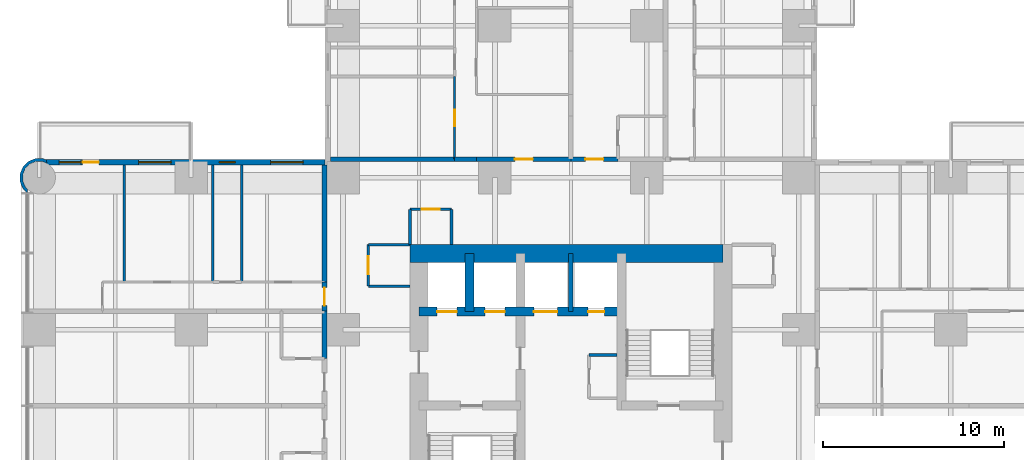
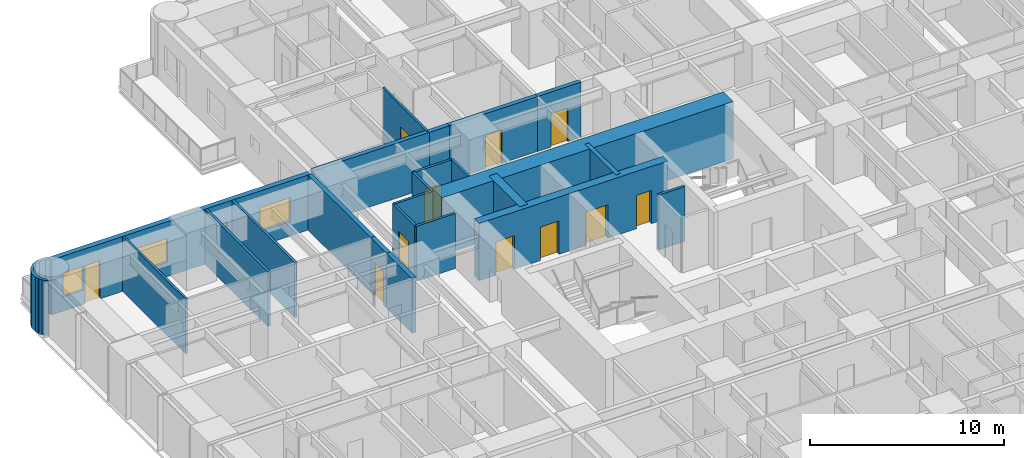
# One storey, part 12 of 17: 24 walls, 11 doors, 4 windows, 15 openings.
"""IFC4 building model written with IfcOpenShell, lengths in metres."""

import ifcopenshell
import ifcopenshell.guid

model = None  # the IFC model being written
_history = None  # IfcOwnerHistory: only IFC2X3 demands one
_inside = {}  # id of a spatial element -> (the spatial element, [elements in it])
_under = {}  # id of a project, library or spatial element -> (it, [spatial elements below it])
_declared = {}  # id of a project -> (the project, [libraries it declares])
_typed = {}  # id of a type object -> (the type object, [elements of that type])
_made_of = {}  # id of a material, layer set ... -> (it, [elements and type objects made of it])


def new_model(schema):
    """Start an empty IFC model of exactly this schema.

    Asked for "IFC4X3", IfcOpenShell would pick the latest addendum, in which some entities
    have other attributes; the version numbers below select the first issue.
    IFC2X3 requires an IfcOwnerHistory on every rooted entity: one is made here for all.
    """
    global model, _history
    if schema == "IFC4X3":
        model = ifcopenshell.file(schema_version=(4, 3, 0, 0))
    else:
        model = ifcopenshell.file(schema=schema)
    _inside.clear()
    _under.clear()
    _declared.clear()
    _typed.clear()
    _made_of.clear()
    _history = None
    if model.schema == "IFC2X3":
        org = make("IfcOrganization", Name="unknown")
        user = make(
            "IfcPersonAndOrganization",
            ThePerson=make("IfcPerson", FamilyName="unknown"),
            TheOrganization=org,
        )
        app = make(
            "IfcApplication",
            ApplicationDeveloper=org,
            Version="unknown",
            ApplicationFullName="unknown",
            ApplicationIdentifier="unknown",
        )
        _history = make(
            "IfcOwnerHistory",
            OwningUser=user,
            OwningApplication=app,
            ChangeAction="ADDED",
            CreationDate=0,
        )
    return model


def make(cls, **values):
    """One entity of the class cls with the attributes given. An attribute that is None is left unset."""
    return model.create_entity(
        cls, **{name: value for name, value in values.items() if value is not None}
    )


def rooted(cls, **values):
    """An entity with a GlobalId (a new one), such as an element, a storey or a relation."""
    return make(cls, GlobalId=ifcopenshell.guid.new(), OwnerHistory=_history, **values)


def si_unit(unit_type, name, prefix=None):
    """IfcSIUnit, for example si_unit("LENGTHUNIT", "METRE", prefix="MILLI")."""
    return make("IfcSIUnit", UnitType=unit_type, Prefix=prefix, Name=name)


def assignment(units):
    """IfcUnitAssignment: the units of a project."""
    return None if units is None else make("IfcUnitAssignment", Units=units)


def point(xyz):
    """IfcCartesianPoint."""
    return None if xyz is None else make("IfcCartesianPoint", Coordinates=xyz)


def direction(xyz):
    """IfcDirection."""
    return None if xyz is None else make("IfcDirection", DirectionRatios=xyz)


def frame(location, z_axis=None, x_axis=None):
    """IfcAxis2Placement3D, a coordinate frame: its origin and axes. An axis left out is left unset."""
    return make(
        "IfcAxis2Placement3D",
        Location=point(location),
        Axis=direction(z_axis),
        RefDirection=direction(x_axis),
    )


def frame_2d(location, x_axis=None):
    """IfcAxis2Placement2D, a coordinate frame in the plane: its origin and x axis."""
    return make(
        "IfcAxis2Placement2D", Location=point(location), RefDirection=direction(x_axis)
    )


def origin():
    """The frame at (0, 0, 0) with its axes left unset."""
    return frame((0.0, 0.0, 0.0))


def place(relative_to, where):
    """IfcLocalPlacement: puts the frame where relative to a parent placement (None: the world)."""
    return make(
        "IfcLocalPlacement", PlacementRelTo=relative_to, RelativePlacement=where
    )


def context(
    kind, dimensions, precision=None, world=None, true_north=None, identifier=None
):
    """IfcGeometricRepresentationContext, for example the 3D "Model" context."""
    return make(
        "IfcGeometricRepresentationContext",
        ContextIdentifier=identifier,
        ContextType=kind,
        CoordinateSpaceDimension=dimensions,
        Precision=precision,
        WorldCoordinateSystem=world,
        TrueNorth=true_north,
    )


def subcontext(parent, identifier, kind, view, scale=None):
    """IfcGeometricRepresentationSubContext, for example "Body" below "Model"."""
    return make(
        "IfcGeometricRepresentationSubContext",
        ContextIdentifier=identifier,
        ContextType=kind,
        ParentContext=parent,
        TargetScale=scale,
        TargetView=view,
    )


def project(units=None, contexts=None):
    """IfcProject with its units and contexts."""
    return rooted(
        "IfcProject",
        Name="project",
        RepresentationContexts=contexts,
        UnitsInContext=assignment(units),
    )


def spatial(cls, under=None, at=None, **own):
    """A site, building, storey or space (cls), placed at a placement, below another one or the project."""
    s = rooted(cls, ObjectPlacement=at, **own)
    if under is not None:
        _under.setdefault(under.id(), (under, []))[1].append(s)
    return s


def polyline(points):
    """IfcPolyline through the points."""
    return make("IfcPolyline", Points=[point(p) for p in points])


def profile(cls, at=None, kind="AREA", **sizes):
    """A parametric profile (cls). Its sizes go by their IFC names, for example OverallWidth=200.0."""
    return make(cls, ProfileType=kind, Position=at, **sizes)


def rectangle(**sizes):
    """IfcRectangleProfileDef."""
    return profile("IfcRectangleProfileDef", **sizes)


def outline(outer, holes=None, kind="AREA"):
    """IfcArbitraryClosedProfileDef: a profile drawn as a closed curve; with holes, ...WithVoids."""
    if holes is None:
        return make("IfcArbitraryClosedProfileDef", ProfileType=kind, OuterCurve=outer)
    return make(
        "IfcArbitraryProfileDefWithVoids",
        ProfileType=kind,
        OuterCurve=outer,
        InnerCurves=holes,
    )


def extrude(swept, where, along, depth):
    """IfcExtrudedAreaSolid: the profile swept, set in the frame where, extruded along a direction by depth."""
    return make(
        "IfcExtrudedAreaSolid",
        SweptArea=swept,
        Position=where,
        ExtrudedDirection=direction(along),
        Depth=depth,
    )


def shape(context_of_items, identifier, shape_type, items):
    """IfcShapeRepresentation: the items that make up one representation, for example the "Body"."""
    return make(
        "IfcShapeRepresentation",
        ContextOfItems=context_of_items,
        RepresentationIdentifier=identifier,
        RepresentationType=shape_type,
        Items=items,
    )


def material(Name=None, Category=None):
    """IfcMaterial."""
    return make("IfcMaterial", Name=Name, Category=Category)


def layer(
    of_material, thickness, ventilated=None, Name=None, Category=None, Priority=None
):
    """IfcMaterialLayer: one layer of a wall or slab, of a material (None: an air gap)."""
    return make(
        "IfcMaterialLayer",
        Material=of_material,
        LayerThickness=thickness,
        IsVentilated=ventilated,
        Name=Name,
        Category=Category,
        Priority=Priority,
    )


def layer_set(layers, Name=None):
    """IfcMaterialLayerSet."""
    return make("IfcMaterialLayerSet", MaterialLayers=layers, LayerSetName=Name)


def made_of(thing, what):
    """Note that an element or type object is made of a material, layer set ...; save() writes the relation."""
    if what is not None:
        _made_of.setdefault(what.id(), (what, []))[1].append(thing)
    return thing


def type_object(cls, material=None, **own):
    """A type object (cls), such as IfcWallType, which elements share."""
    return made_of(rooted(cls, **own), material)


def element(
    cls,
    number,
    at=None,
    inside=None,
    cuts=None,
    type_object=None,
    material=None,
    context=None,
    identifier="Body",
    shape_type=None,
    held_by="IfcProductDefinitionShape",
    body=None,
    shapes=None,
    **own,
):
    """One element of the class cls, such as IfcWall. Its Tag is "e" and its number.

    at: its placement. inside: the storey or other place that contains it. cuts: it is an
    opening in that element (IfcRelVoidsElement). A single representation is given by context,
    identifier, shape_type and body (its items); several are given by shapes. held_by: the class
    of the entity that holds the representations. save() writes the other relations.
    """
    e = rooted(cls, Tag="e%d" % number, ObjectPlacement=at, **own)
    if body is not None:
        shapes = [shape(context, identifier, shape_type, body)]
    if shapes is not None:
        e.Representation = make(held_by, Representations=shapes)
    if inside is not None:
        _inside.setdefault(inside.id(), (inside, []))[1].append(e)
    if cuts is not None:
        rooted(
            "IfcRelVoidsElement", RelatingBuildingElement=cuts, RelatedOpeningElement=e
        )
    if type_object is not None:
        _typed.setdefault(type_object.id(), (type_object, []))[1].append(e)
    return made_of(e, material)


def fill(opening, filler):
    """IfcRelFillsElement: the door or window that sits in an opening."""
    return rooted(
        "IfcRelFillsElement",
        RelatingOpeningElement=opening,
        RelatedBuildingElement=filler,
    )


def aggregate(whole, parts):
    """IfcRelAggregates: a whole, such as a stair, and the parts it consists of."""
    return rooted("IfcRelAggregates", RelatingObject=whole, RelatedObjects=parts)


def save(model, path):
    """Write the relations noted so far, then the file.

    IfcRelAggregates (storeys below a building ...), IfcRelContainedInSpatialStructure (elements
    in a storey), IfcRelDefinesByType, IfcRelAssociatesMaterial and IfcRelDeclares: one each for
    every whole, place, type object, material and project.
    """
    for whole, parts in _under.values():
        aggregate(whole, parts)
    for where, things in _inside.values():
        rooted(
            "IfcRelContainedInSpatialStructure",
            RelatedElements=things,
            RelatingStructure=where,
        )
    for kind, things in _typed.values():
        rooted("IfcRelDefinesByType", RelatedObjects=things, RelatingType=kind)
    for what, things in _made_of.values():
        rooted("IfcRelAssociatesMaterial", RelatedObjects=things, RelatingMaterial=what)
    for by, libraries in _declared.values():
        rooted("IfcRelDeclares", RelatingContext=by, RelatedDefinitions=libraries)
    model.write(path)


model = new_model("IFC4")

# Units and contexts
model_context = context("Model", 3, precision=1e-05, world=origin(), true_north=direction((0.0, 1.0)))
body_context = subcontext(model_context, "Body", "Model", "MODEL_VIEW")
ifc_project = project(units=[si_unit("LENGTHUNIT", "METRE"), si_unit("AREAUNIT", "SQUARE_METRE"), si_unit("VOLUMEUNIT", "CUBIC_METRE"), si_unit("PLANEANGLEUNIT", "RADIAN"), si_unit("MASSUNIT", "GRAM", prefix="KILO")], contexts=[model_context])

# Site, building, storey
site_placement = place(None, origin())
site = spatial("IfcSite", under=ifc_project, at=site_placement, CompositionType="ELEMENT")
building_placement = place(site_placement, origin())
building = spatial("IfcBuilding", under=site, at=building_placement, Name="Torre Alcanfor", CompositionType="ELEMENT")
storey_placement = place(building_placement, frame((0.0, 0.0, 66.89990234375)))
storey = spatial("IfcBuildingStorey", under=building, at=storey_placement, Name="L16", CompositionType="ELEMENT", Elevation=66.89990234375)

# Wall, opening, door
ifc_material_1 = material(Name="Concrete block masonry, hollow blocks NMX-C-404 9 MPa", Category="masonry")
ifc_layer_1 = layer(ifc_material_1, 0.25)
ifc_layer_set_1 = layer_set([ifc_layer_1], Name="Apartment entrance wall 250 EI 60")
wall_type_1 = type_object("IfcWallType", Name="Apartment entrance wall 250 EI 60", PredefinedType="PARTITIONING", material=ifc_layer_set_1)
wall_1_placement = place(storey_placement, frame((24.1708984375, 43.02490234375, 0.0), z_axis=(0.0, 0.0, 1.0), x_axis=(1.0, 0.0, 0.0)))
wall_1 = element("IfcWall", 1, at=wall_1_placement, inside=storey, type_object=wall_type_1, Name="Partition L16-CORR / L16-N1-ZAG", PredefinedType="PARTITIONING", context=body_context, shape_type="SweptSolid", body=[
    extrude(rectangle(XDim=5.22900390625, YDim=0.25, at=frame_2d((2.614501953125, 0.0))), origin(), (0.0, 0.0, 1.0), 3.4501953125),
])
opening_1_placement = place(wall_1_placement, frame((2.12890625, 0.0, 0.0)))
opening_1 = element("IfcOpeningElement", 2, at=opening_1_placement, cuts=wall_1, Name="Opening D-A1", PredefinedType="OPENING", context=body_context, shape_type="SweptSolid", body=[
    extrude(rectangle(XDim=1.0, YDim=2.10009765625, at=frame_2d((0.5, 1.050048828125))), frame((0.0, 0.135009765625, 0.0), z_axis=(0.0, -1.0, 0.0), x_axis=(1.0, 0.0, 0.0)), (0.0, 0.0, 1.0), 0.27001953125),
])
ifc_material_2 = material(Name="Galvanised steel sheet ASTM A653", Category="steel")
door_type_1 = type_object("IfcDoorType", Name="Apartment entrance door FD60 1000x2100", OperationType="SINGLE_SWING_LEFT", PredefinedType="DOOR", material=ifc_material_2)
door_1_placement = place(opening_1_placement, origin())
door_1 = element("IfcDoor", 3, at=door_1_placement, inside=storey, type_object=door_type_1, Name="Apartment entrance L16-N1", OperationType="SINGLE_SWING_RIGHT", OverallHeight=2.10009765625, OverallWidth=1.0, PredefinedType="DOOR", context=body_context, shape_type="SweptSolid", body=[
    extrude(rectangle(XDim=1.0, YDim=2.10009765625, at=frame_2d((0.5, 1.050048828125))), frame((0.0, 0.02490234375, 0.0), z_axis=(0.0, -1.0, 0.0), x_axis=(1.0, 0.0, 0.0)), (0.0, 0.0, 1.0), 0.050048828125),
])
fill(opening_1, door_1)

# Walls
wall_2_placement = place(storey_placement, frame((22.970947265625, 43.02490234375, 0.0), z_axis=(0.0, 0.0, 1.0), x_axis=(1.0, 0.0, 0.0)))
element("IfcWall", 4, at=wall_2_placement, inside=storey, type_object=wall_type_1, Name="Partition L16-CORR / L16-N1-HALL", PredefinedType="PARTITIONING", context=body_context, shape_type="SweptSolid", body=[
    extrude(rectangle(XDim=1.199951171875, YDim=0.25, at=frame_2d((0.60009765625, 0.0))), origin(), (0.0, 0.0, 1.0), 3.4501953125),
])
wall_3_placement = place(storey_placement, frame((16.10009765625, 43.02490234375, 0.0), z_axis=(0.0, 0.0, 1.0), x_axis=(1.0, 0.0, 0.0)))
element("IfcWall", 5, at=wall_3_placement, inside=storey, type_object=wall_type_1, Name="Partition L16-CORR / L16-N1-BED2", PredefinedType="PARTITIONING", context=body_context, shape_type="SweptSolid", body=[
    extrude(rectangle(XDim=6.870849609375, YDim=0.25, at=frame_2d((3.435546875, 0.0))), origin(), (0.0, 0.0, 1.0), 3.4501953125),
])

# Wall, opening, door
wall_4_placement = place(storey_placement, frame((29.39990234375, 43.02490234375, 0.0), z_axis=(0.0, 0.0, 1.0), x_axis=(1.0, 0.0, 0.0)))
wall_4 = element("IfcWall", 6, at=wall_4_placement, inside=storey, type_object=wall_type_1, Name="Partition L16-CORR / L16-N2A-FOYER", PredefinedType="PARTITIONING", context=body_context, shape_type="SweptSolid", body=[
    extrude(rectangle(XDim=2.60009765625, YDim=0.25, at=frame_2d((1.300048828125, 0.0))), origin(), (0.0, 0.0, 1.0), 3.4501953125),
])
opening_2_placement = place(wall_4_placement, frame((0.800048828125, 0.0, 0.0)))
opening_2 = element("IfcOpeningElement", 7, at=opening_2_placement, cuts=wall_4, Name="Opening D-A1", PredefinedType="OPENING", context=body_context, shape_type="SweptSolid", body=[
    extrude(rectangle(XDim=1.0, YDim=2.10009765625, at=frame_2d((0.5, 1.050048828125))), frame((0.0, 0.135009765625, 0.0), z_axis=(0.0, -1.0, 0.0), x_axis=(1.0, 0.0, 0.0)), (0.0, 0.0, 1.0), 0.27001953125),
])
door_2_placement = place(opening_2_placement, origin())
door_2 = element("IfcDoor", 8, at=door_2_placement, inside=storey, type_object=door_type_1, Name="Apartment entrance L16-N2A", OperationType="SINGLE_SWING_LEFT", OverallHeight=2.10009765625, OverallWidth=1.0, PredefinedType="DOOR", context=body_context, shape_type="SweptSolid", body=[
    extrude(rectangle(XDim=1.0, YDim=2.10009765625, at=frame_2d((0.5, 1.050048828125))), frame((0.0, 0.02490234375, 0.0), z_axis=(0.0, -1.0, 0.0), x_axis=(1.0, 0.0, 0.0)), (0.0, 0.0, 1.0), 0.050048828125),
])
fill(opening_2, door_2)

# Wall
wall_5_placement = place(storey_placement, frame((15.77490234375, 32.0, 0.0), z_axis=(0.0, 0.0, 1.0), x_axis=(0.0, 1.0, 0.0)))
element("IfcWall", 9, at=wall_5_placement, inside=storey, type_object=wall_type_1, Name="Partition L16-CORR / L16-W2A-BATH", PredefinedType="PARTITIONING", context=body_context, shape_type="SweptSolid", body=[
    extrude(rectangle(XDim=2.62890625, YDim=0.25, at=frame_2d((1.314453125, 0.0))), origin(), (0.0, 0.0, 1.0), 3.4501953125),
])

# Wall, opening, door
wall_6_placement = place(storey_placement, frame((15.77490234375, 34.62890625, 0.0), z_axis=(0.0, 0.0, 1.0), x_axis=(0.0, 1.0, 0.0)))
wall_6 = element("IfcWall", 10, at=wall_6_placement, inside=storey, type_object=wall_type_1, Name="Partition L16-CORR / L16-W2B-HALL", PredefinedType="PARTITIONING", context=body_context, shape_type="SweptSolid", body=[
    extrude(rectangle(XDim=1.60009765625, YDim=0.25, at=frame_2d((0.800048828125, 0.0))), origin(), (0.0, 0.0, 1.0), 3.4501953125),
])
opening_3_placement = place(wall_6_placement, frame((0.300048828125, 0.0, 0.0)))
opening_3 = element("IfcOpeningElement", 11, at=opening_3_placement, cuts=wall_6, Name="Opening D-A1", PredefinedType="OPENING", context=body_context, shape_type="SweptSolid", body=[
    extrude(rectangle(XDim=1.0, YDim=2.10009765625, at=frame_2d((0.5, 1.050048828125))), frame((0.0, 0.135009765625, 0.0), z_axis=(0.0, -1.0, 0.0), x_axis=(1.0, 0.0, 0.0)), (0.0, 0.0, 1.0), 0.27001953125),
])
door_3_placement = place(opening_3_placement, origin())
door_3 = element("IfcDoor", 12, at=door_3_placement, inside=storey, type_object=door_type_1, Name="Apartment entrance L16-W2B", OperationType="SINGLE_SWING_LEFT", OverallHeight=2.10009765625, OverallWidth=1.0, PredefinedType="DOOR", context=body_context, shape_type="SweptSolid", body=[
    extrude(rectangle(XDim=1.0, YDim=2.10009765625, at=frame_2d((0.5, 1.050048828125))), frame((0.0, 0.02490234375, 0.0), z_axis=(0.0, -1.0, 0.0), x_axis=(1.0, 0.0, 0.0)), (0.0, 0.0, 1.0), 0.050048828125),
])
fill(opening_3, door_3)

# Wall
wall_7_placement = place(storey_placement, frame((15.77490234375, 36.22900390625, 0.0), z_axis=(0.0, 0.0, 1.0), x_axis=(0.0, 1.0, 0.0)))
element("IfcWall", 13, at=wall_7_placement, inside=storey, type_object=wall_type_1, Name="Partition L16-CORR / L16-W2B-BED2", PredefinedType="PARTITIONING", context=body_context, shape_type="SweptSolid", body=[
    extrude(rectangle(XDim=6.470947265625, YDim=0.25, at=frame_2d((3.2353515625, 0.0))), origin(), (0.0, 0.0, 1.0), 3.4501953125),
])

# Wall, opening, door
ifc_material_3 = material(Name="Gypsum board on steel studs", Category="steel")
ifc_layer_2 = layer(ifc_material_3, 0.1201171875)
ifc_layer_set_2 = layer_set([ifc_layer_2], Name="Apartment partition 120")
wall_type_2 = type_object("IfcWallType", Name="Apartment partition 120", PredefinedType="PARTITIONING", material=ifc_layer_set_2)
wall_8_placement = place(storey_placement, frame((22.970947265625, 47.60009765625, 0.0), z_axis=(0.0, 0.0, 1.0), x_axis=(0.0, -1.0, 0.0)))
wall_8 = element("IfcWall", 14, at=wall_8_placement, inside=storey, type_object=wall_type_2, Name="Partition L16-N1-HALL / L16-N1-BED2", PredefinedType="PARTITIONING", context=body_context, shape_type="SweptSolid", body=[
    extrude(rectangle(XDim=4.5751953125, YDim=0.1201171875, at=frame_2d((2.28759765625, 0.0))), origin(), (0.0, 0.0, 1.0), 3.4501953125),
])
opening_4_placement = place(wall_8_placement, frame((1.85009765625, 0.0, 0.0)))
opening_4 = element("IfcOpeningElement", 15, at=opening_4_placement, cuts=wall_8, Name="Opening D-R1", PredefinedType="OPENING", context=body_context, shape_type="SweptSolid", body=[
    extrude(rectangle(XDim=0.89990234375, YDim=2.10009765625, at=frame_2d((0.449951171875, 1.050048828125))), frame((0.0, 0.070068359375, 0.0), z_axis=(0.0, -1.0, 0.0), x_axis=(1.0, 0.0, 0.0)), (0.0, 0.0, 1.0), 0.14013671875),
])
ifc_material_4 = material(Name="Timber", Category="wood")
door_type_2 = type_object("IfcDoorType", Name="Internal door 900x2100", OperationType="SINGLE_SWING_LEFT", PredefinedType="DOOR", material=ifc_material_4)
door_4_placement = place(opening_4_placement, frame((0.89990234375, 0.0, 0.0), z_axis=(0.0, 0.0, 1.0), x_axis=(-1.0, 0.0, 0.0)))
door_4 = element("IfcDoor", 16, at=door_4_placement, inside=storey, type_object=door_type_2, Name="Door L16-N1 bed2", OperationType="SINGLE_SWING_LEFT", OverallHeight=2.10009765625, OverallWidth=0.89990234375, PredefinedType="DOOR", context=body_context, shape_type="SweptSolid", body=[
    extrude(rectangle(XDim=0.89990234375, YDim=2.10009765625, at=frame_2d((0.449951171875, 1.050048828125))), frame((0.0, 0.025146484375, 0.0), z_axis=(0.0, -1.0, 0.0), x_axis=(1.0, 0.0, 0.0)), (0.0, 0.0, 1.0), 0.050048828125),
])
fill(opening_4, door_4)

# Wall
wall_9_placement = place(storey_placement, frame((4.699951171875, 36.22900390625, 0.0), z_axis=(0.0, 0.0, 1.0), x_axis=(0.0, 1.0, 0.0)))
element("IfcWall", 17, at=wall_9_placement, inside=storey, type_object=wall_type_2, Name="Partition L16-W2B-MASTER / L16-W2B-KITCHEN", PredefinedType="PARTITIONING", context=body_context, shape_type="SweptSolid", body=[
    extrude(rectangle(XDim=6.470947265625, YDim=0.1201171875, at=frame_2d((3.2353515625, 0.0))), origin(), (0.0, 0.0, 1.0), 3.4501953125),
])

# Wall, openings, doors
ifc_material_5 = material(Name="Concrete f'c 70 MPa", Category="concrete")
ifc_layer_3 = layer(ifc_material_5, 0.5)
ifc_layer_set_3 = layer_set([ifc_layer_3], Name="Core inner wall 500 f'c70")
wall_type_3 = type_object("IfcWallType", Name="Core inner wall 500 f'c70", PredefinedType="SHEAR", material=ifc_layer_set_3)
wall_10_placement = place(storey_placement, frame((21.0, 34.60009765625, 0.0), z_axis=(0.0, 0.0, 1.0), x_axis=(1.0, 0.0, 0.0)))
wall_10 = element("IfcWall", 18, at=wall_10_placement, inside=storey, type_object=wall_type_3, Name="Core wall Y346 L16", PredefinedType="SHEAR", context=body_context, shape_type="SweptSolid", body=[
    extrude(rectangle(XDim=11.199951171875, YDim=0.5, at=frame_2d((5.60009765625, 0.0))), origin(), (0.0, 0.0, 1.0), 3.60009765625),
])
opening_5_placement = place(wall_10_placement, frame((9.35009765625, 0.0, 0.0)))
opening_5 = element("IfcOpeningElement", 19, at=opening_5_placement, cuts=wall_10, Name="Opening D-Q1", PredefinedType="OPENING", context=body_context, shape_type="SweptSolid", body=[
    extrude(rectangle(XDim=0.89990234375, YDim=2.10009765625, at=frame_2d((0.449951171875, 1.050048828125))), frame((0.0, 0.260009765625, 0.0), z_axis=(0.0, -1.0, 0.0), x_axis=(1.0, 0.0, 0.0)), (0.0, 0.0, 1.0), 0.52001953125),
])
opening_6_placement = place(wall_10_placement, frame((1.0, 0.0, 0.0)))
opening_6 = element("IfcOpeningElement", 20, at=opening_6_placement, cuts=wall_10, Name="Opening LD2", PredefinedType="OPENING", context=body_context, shape_type="SweptSolid", body=[
    extrude(rectangle(XDim=1.10009765625, YDim=2.10009765625, at=frame_2d((0.550048828125, 1.050048828125))), frame((0.0, 0.260009765625, 0.0), z_axis=(0.0, -1.0, 0.0), x_axis=(1.0, 0.0, 0.0)), (0.0, 0.0, 1.0), 0.52001953125),
])
opening_7_placement = place(wall_10_placement, frame((3.64990234375, 0.0, 0.0)))
opening_7 = element("IfcOpeningElement", 21, at=opening_7_placement, cuts=wall_10, Name="Opening LD2", PredefinedType="OPENING", context=body_context, shape_type="SweptSolid", body=[
    extrude(rectangle(XDim=1.10009765625, YDim=2.10009765625, at=frame_2d((0.550048828125, 1.050048828125))), frame((0.0, 0.260009765625, 0.0), z_axis=(0.0, -1.0, 0.0), x_axis=(1.0, 0.0, 0.0)), (0.0, 0.0, 1.0), 0.52001953125),
])
opening_8_placement = place(wall_10_placement, frame((6.35009765625, 0.0, 0.0)))
opening_8 = element("IfcOpeningElement", 22, at=opening_8_placement, cuts=wall_10, Name="Opening LD3", PredefinedType="OPENING", context=body_context, shape_type="SweptSolid", body=[
    extrude(rectangle(XDim=1.300048828125, YDim=2.10009765625, at=frame_2d((0.64990234375, 1.050048828125))), frame((0.0, 0.260009765625, 0.0), z_axis=(0.0, -1.0, 0.0), x_axis=(1.0, 0.0, 0.0)), (0.0, 0.0, 1.0), 0.52001953125),
])
ifc_material_6 = material(Name="Galvanised steel sheet ASTM A653", Category="steel")
door_type_3 = type_object("IfcDoorType", Name="Firefighting lift landing door 1100x2100", OperationType="DOUBLE_DOOR_SLIDING", PredefinedType="DOOR", material=ifc_material_6)
door_5_placement = place(opening_6_placement, origin())
door_5 = element("IfcDoor", 23, at=door_5_placement, inside=storey, type_object=door_type_3, Name="Lift landing door FL1 L16", OperationType="DOUBLE_DOOR_SLIDING", OverallHeight=2.10009765625, OverallWidth=1.10009765625, PredefinedType="DOOR", context=body_context, shape_type="SweptSolid", body=[
    extrude(rectangle(XDim=1.10009765625, YDim=2.10009765625, at=frame_2d((0.550048828125, 1.050048828125))), frame((0.0, 0.02490234375, 0.0), z_axis=(0.0, -1.0, 0.0), x_axis=(1.0, 0.0, 0.0)), (0.0, 0.0, 1.0), 0.050048828125),
])
fill(opening_6, door_5)
door_6_placement = place(opening_7_placement, origin())
door_6 = element("IfcDoor", 24, at=door_6_placement, inside=storey, type_object=door_type_3, Name="Lift landing door FL2 L16", OperationType="DOUBLE_DOOR_SLIDING", OverallHeight=2.10009765625, OverallWidth=1.10009765625, PredefinedType="DOOR", context=body_context, shape_type="SweptSolid", body=[
    extrude(rectangle(XDim=1.10009765625, YDim=2.10009765625, at=frame_2d((0.550048828125, 1.050048828125))), frame((0.0, 0.02490234375, 0.0), z_axis=(0.0, -1.0, 0.0), x_axis=(1.0, 0.0, 0.0)), (0.0, 0.0, 1.0), 0.050048828125),
])
fill(opening_7, door_6)
ifc_material_7 = material(Name="Galvanised steel sheet ASTM A653", Category="steel")
door_type_4 = type_object("IfcDoorType", Name="Riser access door FD120 900x2100", OperationType="SINGLE_SWING_LEFT", PredefinedType="DOOR", material=ifc_material_7)
door_7_placement = place(opening_5_placement, origin())
door_7 = element("IfcDoor", 25, at=door_7_placement, inside=storey, type_object=door_type_4, Name="Riser door L16", OperationType="SINGLE_SWING_LEFT", OverallHeight=2.10009765625, OverallWidth=0.89990234375, PredefinedType="DOOR", context=body_context, shape_type="SweptSolid", body=[
    extrude(rectangle(XDim=0.89990234375, YDim=2.10009765625, at=frame_2d((0.449951171875, 1.050048828125))), frame((0.0, 0.02490234375, 0.0), z_axis=(0.0, -1.0, 0.0), x_axis=(1.0, 0.0, 0.0)), (0.0, 0.0, 1.0), 0.050048828125),
])
fill(opening_5, door_7)
ifc_material_8 = material(Name="Galvanised steel sheet ASTM A653", Category="steel")
door_type_5 = type_object("IfcDoorType", Name="Service lift landing door 1300x2100", OperationType="DOUBLE_DOOR_SLIDING", PredefinedType="DOOR", material=ifc_material_8)
door_8_placement = place(opening_8_placement, origin())
door_8 = element("IfcDoor", 26, at=door_8_placement, inside=storey, type_object=door_type_5, Name="Lift landing door SL1 L16", OperationType="DOUBLE_DOOR_SLIDING", OverallHeight=2.10009765625, OverallWidth=1.300048828125, PredefinedType="DOOR", context=body_context, shape_type="SweptSolid", body=[
    extrude(rectangle(XDim=1.300048828125, YDim=2.10009765625, at=frame_2d((0.64990234375, 1.050048828125))), frame((0.0, 0.02490234375, 0.0), z_axis=(0.0, -1.0, 0.0), x_axis=(1.0, 0.0, 0.0)), (0.0, 0.0, 1.0), 0.050048828125),
])
fill(opening_8, door_8)

# Walls
wall_11_placement = place(storey_placement, frame((23.800048828125, 34.60009765625, 0.0), z_axis=(0.0, 0.0, 1.0), x_axis=(0.0, 1.0, 0.0)))
element("IfcWall", 27, at=wall_11_placement, inside=storey, type_object=wall_type_3, Name="Core wall X238 L16", PredefinedType="SHEAR", context=body_context, shape_type="SweptSolid", body=[
    extrude(rectangle(XDim=3.199951171875, YDim=0.5, at=frame_2d((1.60009765625, 0.0))), origin(), (0.0, 0.0, 1.0), 3.60009765625),
])
ifc_material_9 = material(Name="Concrete f'c 70 MPa", Category="concrete")
ifc_layer_4 = layer(ifc_material_9, 0.25)
ifc_layer_set_4 = layer_set([ifc_layer_4], Name="Core shaft wall 250 f'c70")
wall_type_4 = type_object("IfcWallType", Name="Core shaft wall 250 f'c70", PredefinedType="SHEAR", material=ifc_layer_set_4)
wall_12_placement = place(storey_placement, frame((29.39990234375, 34.60009765625, 0.0), z_axis=(0.0, 0.0, 1.0), x_axis=(0.0, 1.0, 0.0)))
element("IfcWall", 28, at=wall_12_placement, inside=storey, type_object=wall_type_4, Name="Core wall X294N L16", PredefinedType="SHEAR", context=body_context, shape_type="SweptSolid", body=[
    extrude(rectangle(XDim=3.199951171875, YDim=0.25, at=frame_2d((1.60009765625, 0.0))), origin(), (0.0, 0.0, 1.0), 3.60009765625),
])
ifc_material_10 = material(Name="Concrete f'c 70 MPa", Category="concrete")
ifc_layer_5 = layer(ifc_material_10, 1.0)
ifc_layer_set_5 = layer_set([ifc_layer_5], Name="Core wall 1000 f'c70")
wall_type_5 = type_object("IfcWallType", Name="Core wall 1000 f'c70", PredefinedType="SHEAR", material=ifc_layer_set_5)
wall_13_placement = place(storey_placement, frame((37.800048828125, 37.800048828125, 0.0), z_axis=(0.0, 0.0, 1.0), x_axis=(-1.0, 0.0, 0.0)))
element("IfcWall", 29, at=wall_13_placement, inside=storey, type_object=wall_type_5, Name="Core wall OUT-N L16", PredefinedType="SHEAR", context=body_context, shape_type="SweptSolid", body=[
    extrude(rectangle(XDim=17.300048828125, YDim=1.0, at=frame_2d((8.64990234375, 0.0))), origin(), (0.0, 0.0, 1.0), 3.60009765625),
])

# Wall, openings, door, windows
ifc_material_11 = material(Name="Limestone cladding", Category="masonry")
ifc_layer_6 = layer(ifc_material_11, 0.0400390625, Name="Facing")
ifc_material_12 = material(Name="Ventilated air cavity")
ifc_layer_7 = layer(ifc_material_12, 0.02001953125, ventilated=True, Name="Ventilated joint")
ifc_material_13 = material(Name="Mineral wool insulation", Category="insulation")
ifc_layer_8 = layer(ifc_material_13, 0.10009765625, Name="Insulation")
ifc_material_14 = material(Name="Concrete f'c 35 MPa", Category="concrete")
ifc_layer_9 = layer(ifc_material_14, 0.139892578125, Name="Backing")
ifc_layer_set_6 = layer_set([ifc_layer_6, ifc_layer_7, ifc_layer_8, ifc_layer_9], Name="External wall stone-clad 300")
wall_type_6 = type_object("IfcWallType", Name="External wall stone-clad 300", PredefinedType="SOLIDWALL", material=ifc_layer_set_6)
wall_14_placement = place(storey_placement, frame((15.800048828125, 42.85009765625, 0.0), z_axis=(0.0, 0.0, 1.0), x_axis=(-1.0, 0.0, 0.0)))
wall_14 = element("IfcWall", 30, at=wall_14_placement, inside=storey, type_object=wall_type_6, Name="External wall L16 1", PredefinedType="SOLIDWALL", context=body_context, shape_type="SweptSolid", body=[
    extrude(rectangle(XDim=15.400146484375, YDim=0.300048828125, at=frame_2d((7.7001953125, 0.0))), origin(), (0.0, 0.0, 1.0), 3.4501953125),
])
opening_9_placement = place(wall_14_placement, frame((1.199951171875, 0.0, 0.89990234375)))
opening_9 = element("IfcOpeningElement", 31, at=opening_9_placement, cuts=wall_14, Name="Opening W2", PredefinedType="OPENING", context=body_context, shape_type="SweptSolid", body=[
    extrude(rectangle(XDim=1.800048828125, YDim=1.5, at=frame_2d((0.89990234375, 0.75))), frame((0.0, 0.159912109375, 0.0), z_axis=(0.0, -1.0, 0.0), x_axis=(1.0, 0.0, 0.0)), (0.0, 0.0, 1.0), 0.320068359375),
])
opening_10_placement = place(wall_14_placement, frame((4.949951171875, 0.0, 1.5)))
opening_10 = element("IfcOpeningElement", 32, at=opening_10_placement, cuts=wall_14, Name="Opening W3", PredefinedType="OPENING", context=body_context, shape_type="SweptSolid", body=[
    extrude(rectangle(XDim=0.89990234375, YDim=0.699951171875, at=frame_2d((0.449951171875, 0.35009765625))), frame((0.0, 0.159912109375, 0.0), z_axis=(0.0, -1.0, 0.0), x_axis=(1.0, 0.0, 0.0)), (0.0, 0.0, 1.0), 0.320068359375),
])
opening_11_placement = place(wall_14_placement, frame((8.5, 0.0, 0.89990234375)))
opening_11 = element("IfcOpeningElement", 33, at=opening_11_placement, cuts=wall_14, Name="Opening W2", PredefinedType="OPENING", context=body_context, shape_type="SweptSolid", body=[
    extrude(rectangle(XDim=1.800048828125, YDim=1.5, at=frame_2d((0.89990234375, 0.75))), frame((0.0, 0.159912109375, 0.0), z_axis=(0.0, -1.0, 0.0), x_axis=(1.0, 0.0, 0.0)), (0.0, 0.0, 1.0), 0.320068359375),
])
opening_12_placement = place(wall_14_placement, frame((12.5, 0.0, 0.0)))
opening_12 = element("IfcOpeningElement", 34, at=opening_12_placement, cuts=wall_14, Name="Opening D-B1", PredefinedType="OPENING", context=body_context, shape_type="SweptSolid", body=[
    extrude(rectangle(XDim=0.89990234375, YDim=2.39990234375, at=frame_2d((0.449951171875, 1.199951171875))), frame((0.0, 0.159912109375, 0.0), z_axis=(0.0, -1.0, 0.0), x_axis=(1.0, 0.0, 0.0)), (0.0, 0.0, 1.0), 0.320068359375),
])
opening_13_placement = place(wall_14_placement, frame((13.5, 0.0, 0.89990234375)))
opening_13 = element("IfcOpeningElement", 35, at=opening_13_placement, cuts=wall_14, Name="Opening W4", PredefinedType="OPENING", context=body_context, shape_type="SweptSolid", body=[
    extrude(rectangle(XDim=1.199951171875, YDim=1.5, at=frame_2d((0.60009765625, 0.75))), frame((0.0, 0.159912109375, 0.0), z_axis=(0.0, -1.0, 0.0), x_axis=(1.0, 0.0, 0.0)), (0.0, 0.0, 1.0), 0.320068359375),
])
ifc_material_15 = material(Name="Aluminium and glass", Category="aluminium")
door_type_6 = type_object("IfcDoorType", Name="Balcony door glazed 900x2400", OperationType="SINGLE_SWING_LEFT", PredefinedType="DOOR", material=ifc_material_15)
door_9_placement = place(opening_12_placement, origin())
door_9 = element("IfcDoor", 36, at=door_9_placement, inside=storey, type_object=door_type_6, Name="Balcony door L16-W2", OperationType="SINGLE_SWING_LEFT", OverallHeight=2.39990234375, OverallWidth=0.89990234375, PredefinedType="DOOR", context=body_context, shape_type="SweptSolid", body=[
    extrude(rectangle(XDim=0.89990234375, YDim=2.39990234375, at=frame_2d((0.449951171875, 1.199951171875))), frame((0.0, 0.02490234375, 0.0), z_axis=(0.0, -1.0, 0.0), x_axis=(1.0, 0.0, 0.0)), (0.0, 0.0, 1.0), 0.050048828125),
])
fill(opening_12, door_9)
ifc_material_16 = material(Name="Aluminium frame with clear double glazing", Category="aluminium")
window_type_1 = type_object("IfcWindowType", Name="Window bathroom 900x700", PartitioningType="SINGLE_PANEL", PredefinedType="WINDOW", material=ifc_material_16)
window_1_placement = place(opening_10_placement, origin())
window_1 = element("IfcWindow", 37, at=window_1_placement, inside=storey, type_object=window_type_1, Name="Window W3 L16-W2", OverallHeight=0.699951171875, OverallWidth=0.89990234375, PartitioningType="SINGLE_PANEL", PredefinedType="WINDOW", context=body_context, shape_type="SweptSolid", body=[
    extrude(rectangle(XDim=0.89990234375, YDim=0.699951171875, at=frame_2d((0.449951171875, 0.35009765625))), frame((0.0, 0.030029296875, 0.0), z_axis=(0.0, -1.0, 0.0), x_axis=(1.0, 0.0, 0.0)), (0.0, 0.0, 1.0), 0.06005859375),
])
fill(opening_10, window_1)
ifc_material_17 = material(Name="Aluminium frame with clear double glazing", Category="aluminium")
window_type_2 = type_object("IfcWindowType", Name="Window bedroom 1200x1500", PartitioningType="SINGLE_PANEL", PredefinedType="WINDOW", material=ifc_material_17)
window_2_placement = place(opening_13_placement, origin())
window_2 = element("IfcWindow", 38, at=window_2_placement, inside=storey, type_object=window_type_2, Name="Window W4 L16-W2", OverallHeight=1.5, OverallWidth=1.199951171875, PartitioningType="SINGLE_PANEL", PredefinedType="WINDOW", context=body_context, shape_type="SweptSolid", body=[
    extrude(rectangle(XDim=1.199951171875, YDim=1.5, at=frame_2d((0.60009765625, 0.75))), frame((0.0, 0.030029296875, 0.0), z_axis=(0.0, -1.0, 0.0), x_axis=(1.0, 0.0, 0.0)), (0.0, 0.0, 1.0), 0.06005859375),
])
fill(opening_13, window_2)
ifc_material_18 = material(Name="Aluminium frame with clear double glazing", Category="aluminium")
window_type_3 = type_object("IfcWindowType", Name="Window bedroom 1800x1500", PartitioningType="SINGLE_PANEL", PredefinedType="WINDOW", material=ifc_material_18)
window_3_placement = place(opening_9_placement, origin())
window_3 = element("IfcWindow", 39, at=window_3_placement, inside=storey, type_object=window_type_3, Name="Window W2 L16-W2", OverallHeight=1.5, OverallWidth=1.800048828125, PartitioningType="SINGLE_PANEL", PredefinedType="WINDOW", context=body_context, shape_type="SweptSolid", body=[
    extrude(rectangle(XDim=1.800048828125, YDim=1.5, at=frame_2d((0.89990234375, 0.75))), frame((0.0, 0.030029296875, 0.0), z_axis=(0.0, -1.0, 0.0), x_axis=(1.0, 0.0, 0.0)), (0.0, 0.0, 1.0), 0.06005859375),
])
fill(opening_9, window_3)
window_4_placement = place(opening_11_placement, origin())
window_4 = element("IfcWindow", 40, at=window_4_placement, inside=storey, type_object=window_type_3, Name="Window W2 L16-W2", OverallHeight=1.5, OverallWidth=1.800048828125, PartitioningType="SINGLE_PANEL", PredefinedType="WINDOW", context=body_context, shape_type="SweptSolid", body=[
    extrude(rectangle(XDim=1.800048828125, YDim=1.5, at=frame_2d((0.89990234375, 0.75))), frame((0.0, 0.030029296875, 0.0), z_axis=(0.0, -1.0, 0.0), x_axis=(1.0, 0.0, 0.0)), (0.0, 0.0, 1.0), 0.06005859375),
])
fill(opening_11, window_4)

# Wall
ifc_material_19 = material(Name="Concrete block masonry, hollow blocks NMX-C-404 9 MPa", Category="masonry")
ifc_layer_10 = layer(ifc_material_19, 0.14990234375)
ifc_layer_set_7 = layer_set([ifc_layer_10], Name="Residents' room partition 150")
wall_type_7 = type_object("IfcWallType", Name="Residents' room partition 150", PredefinedType="PARTITIONING", material=ifc_layer_set_7)
wall_15_placement = place(storey_placement, frame((22.800048828125, 38.300048828125, 0.0), z_axis=(0.0, 0.0, 1.0), x_axis=(0.0, 1.0, 0.0)))
element("IfcWall", 41, at=wall_15_placement, inside=storey, type_object=wall_type_7, Name="Partition L16-CORR / L16-G01", PredefinedType="PARTITIONING", context=body_context, shape_type="SweptSolid", body=[
    extrude(rectangle(XDim=1.949951171875, YDim=0.14990234375, at=frame_2d((0.97509765625, 0.0))), origin(), (0.0, 0.0, 1.0), 3.4501953125),
])

# Wall, opening, door
wall_16_placement = place(storey_placement, frame((22.800048828125, 40.25, 0.0), z_axis=(0.0, 0.0, 1.0), x_axis=(-1.0, 0.0, 0.0)))
wall_16 = element("IfcWall", 42, at=wall_16_placement, inside=storey, type_object=wall_type_7, Name="Partition L16-CORR / L16-G01", PredefinedType="PARTITIONING", context=body_context, shape_type="SweptSolid", body=[
    extrude(rectangle(XDim=2.300048828125, YDim=0.14990234375, at=frame_2d((1.14990234375, 0.0))), origin(), (0.0, 0.0, 1.0), 3.4501953125),
])
opening_14_placement = place(wall_16_placement, frame((0.64990234375, 0.0, 0.0)))
opening_14 = element("IfcOpeningElement", 43, at=opening_14_placement, cuts=wall_16, Name="Opening D-M1", PredefinedType="OPENING", context=body_context, shape_type="SweptSolid", body=[
    extrude(rectangle(XDim=1.0, YDim=2.10009765625, at=frame_2d((0.5, 1.050048828125))), frame((0.0, 0.0849609375, 0.0), z_axis=(0.0, -1.0, 0.0), x_axis=(1.0, 0.0, 0.0)), (0.0, 0.0, 1.0), 0.169921875),
])
ifc_material_20 = material(Name="Timber", Category="wood")
door_type_7 = type_object("IfcDoorType", Name="Residents' room door 1000x2100", OperationType="SINGLE_SWING_LEFT", PredefinedType="DOOR", material=ifc_material_20)
door_10_placement = place(opening_14_placement, origin())
door_10 = element("IfcDoor", 44, at=door_10_placement, inside=storey, type_object=door_type_7, Name="Door L16-G01 pram and buggy store", OperationType="SINGLE_SWING_LEFT", OverallHeight=2.10009765625, OverallWidth=1.0, PredefinedType="DOOR", context=body_context, shape_type="SweptSolid", body=[
    extrude(rectangle(XDim=1.0, YDim=2.10009765625, at=frame_2d((0.5, 1.050048828125))), frame((0.0, 0.02490234375, 0.0), z_axis=(0.0, -1.0, 0.0), x_axis=(1.0, 0.0, 0.0)), (0.0, 0.0, 1.0), 0.050048828125),
])
fill(opening_14, door_10)

# Walls
wall_17_placement = place(storey_placement, frame((20.5, 40.25, 0.0), z_axis=(0.0, 0.0, 1.0), x_axis=(0.0, -1.0, 0.0)))
element("IfcWall", 45, at=wall_17_placement, inside=storey, type_object=wall_type_7, Name="Partition L16-CORR / L16-G01", PredefinedType="PARTITIONING", context=body_context, shape_type="SweptSolid", body=[
    extrude(rectangle(XDim=1.949951171875, YDim=0.14990234375, at=frame_2d((0.97509765625, 0.0))), origin(), (0.0, 0.0, 1.0), 3.4501953125),
])
wall_18_placement = place(storey_placement, frame((20.5, 38.300048828125, 0.0), z_axis=(0.0, 0.0, 1.0), x_axis=(-1.0, 0.0, 0.0)))
element("IfcWall", 46, at=wall_18_placement, inside=storey, type_object=wall_type_7, Name="Partition L16-CORR / L16-G05", PredefinedType="PARTITIONING", context=body_context, shape_type="SweptSolid", body=[
    extrude(rectangle(XDim=2.300048828125, YDim=0.14990234375, at=frame_2d((1.14990234375, 0.0))), origin(), (0.0, 0.0, 1.0), 3.4501953125),
])

# Wall, opening, door
wall_19_placement = place(storey_placement, frame((18.199951171875, 38.300048828125, 0.0), z_axis=(0.0, 0.0, 1.0), x_axis=(0.0, -1.0, 0.0)))
wall_19 = element("IfcWall", 47, at=wall_19_placement, inside=storey, type_object=wall_type_7, Name="Partition L16-CORR / L16-G05", PredefinedType="PARTITIONING", context=body_context, shape_type="SweptSolid", body=[
    extrude(rectangle(XDim=2.300048828125, YDim=0.14990234375, at=frame_2d((1.14990234375, 0.0))), origin(), (0.0, 0.0, 1.0), 3.4501953125),
])
opening_15_placement = place(wall_19_placement, frame((0.64990234375, 0.0, 0.0)))
opening_15 = element("IfcOpeningElement", 48, at=opening_15_placement, cuts=wall_19, Name="Opening D-M1", PredefinedType="OPENING", context=body_context, shape_type="SweptSolid", body=[
    extrude(rectangle(XDim=1.0, YDim=2.10009765625, at=frame_2d((0.5, 1.050048828125))), frame((0.0, 0.0849609375, 0.0), z_axis=(0.0, -1.0, 0.0), x_axis=(1.0, 0.0, 0.0)), (0.0, 0.0, 1.0), 0.169921875),
])
door_11_placement = place(opening_15_placement, origin())
door_11 = element("IfcDoor", 49, at=door_11_placement, inside=storey, type_object=door_type_7, Name="Door L16-G05 parcel room", OperationType="SINGLE_SWING_LEFT", OverallHeight=2.10009765625, OverallWidth=1.0, PredefinedType="DOOR", context=body_context, shape_type="SweptSolid", body=[
    extrude(rectangle(XDim=1.0, YDim=2.10009765625, at=frame_2d((0.5, 1.050048828125))), frame((0.0, 0.02490234375, 0.0), z_axis=(0.0, -1.0, 0.0), x_axis=(1.0, 0.0, 0.0)), (0.0, 0.0, 1.0), 0.050048828125),
])
fill(opening_15, door_11)

# Walls
wall_20_placement = place(storey_placement, frame((18.199951171875, 36.0, 0.0), z_axis=(0.0, 0.0, 1.0), x_axis=(1.0, 0.0, 0.0)))
element("IfcWall", 50, at=wall_20_placement, inside=storey, type_object=wall_type_7, Name="Partition L16-CORR / L16-G05", PredefinedType="PARTITIONING", context=body_context, shape_type="SweptSolid", body=[
    extrude(rectangle(XDim=2.300048828125, YDim=0.14990234375, at=frame_2d((1.14990234375, 0.0))), origin(), (0.0, 0.0, 1.0), 3.4501953125),
])
wall_21_placement = place(storey_placement, frame((30.39990234375, 32.199951171875, 0.0), z_axis=(0.0, 0.0, 1.0), x_axis=(1.0, 0.0, 0.0)))
element("IfcWall", 51, at=wall_21_placement, inside=storey, type_object=wall_type_7, Name="Partition L16-LL / L16-CR1", PredefinedType="PARTITIONING", context=body_context, shape_type="SweptSolid", body=[
    extrude(rectangle(XDim=1.550048828125, YDim=0.14990234375, at=frame_2d((0.77490234375, 0.0))), origin(), (0.0, 0.0, 1.0), 3.4501953125),
])
ifc_layer_11 = layer(ifc_material_11, 0.0400390625, Name="Facing")
ifc_layer_12 = layer(ifc_material_12, 0.02001953125, ventilated=True, Name="Ventilated joint")
ifc_layer_13 = layer(ifc_material_13, 0.10009765625, Name="Insulation")
ifc_layer_14 = layer(ifc_material_14, 0.139892578125, Name="Backing")
ifc_layer_set_8 = layer_set([ifc_layer_11, ifc_layer_12, ifc_layer_13, ifc_layer_14], Name="Rounded corner pier stone-clad 300")
wall_type_8 = type_object("IfcWallType", Name="Rounded corner pier stone-clad 300", PredefinedType="SOLIDWALL", material=ifc_layer_set_8)
wall_22_placement = place(storey_placement, frame((0.363962863, 42.909907157, 0.0), z_axis=(0.0, 0.0, 1.0), x_axis=(-0.926129809145, 0.377204953059, 0.0)))
element("IfcWall", 52, at=wall_22_placement, inside=storey, type_object=wall_type_8, Name="Corner pier L16 13", PredefinedType="SOLIDWALL", context=body_context, shape_type="SweptSolid", body=[
    extrude(outline(polyline([(0.36027248147905344, 1.8032799323574271), (0.5087783723473315, 1.740921099842025), (0.7605913470133172, 1.4857584601095954), (0.8957810128069955, 1.1538349835897281), (0.8939031559639274, 0.7953461823991875), (0.7547957339381889, 0.4650577343600455), (0.4996330942057594, 0.21324475969405968), (0.1677096176858921, 0.07805509390038129), (-0.09992182078970525, 0.07950523369113624), (0.0006988421670046999, -0.09699421764222865), (0.0300177129428464, -0.08030783699434613), (0.19858532179107968, -0.08124570553990346), (0.5888441232034033, 0.0777034519259609), (0.8888369702307105, 0.374136779300854), (1.052603126025944, 0.7629734686109036), (1.0550818122472803, 1.1847106876949156), (0.8961326547814159, 1.5749694891072394), (0.7776866026168303, 1.6949130219751851), (0.7691400347446393, 1.7275471706587737), (0.7502646662372825, 1.7227591424871238), (0.599699327406523, 1.8749623361345464), (0.2945484394782597, 2.0034825844222954), (0.2809820848521072, 1.9979571212427172), (0.36027248147905344, 1.8032799323574271)])), origin(), (0.0, 0.0, 1.0), 3.4501953125),
])
ifc_material_21 = material(Name="Cement board on steel studs", Category="steel")
ifc_layer_15 = layer(ifc_material_21, 0.14990234375)
ifc_layer_set_9 = layer_set([ifc_layer_15], Name="Wet area partition 150")
wall_type_9 = type_object("IfcWallType", Name="Wet area partition 150", PredefinedType="PARTITIONING", material=ifc_layer_set_9)
for number, where, z_axis, x_axis, name in (
    (53, (11.199951171875, 36.22900390625, 0.0), (0.0, 0.0, 1.0), (0.0, 1.0, 0.0), "Partition L16-W2B-BED2 / L16-W2B-BATH"),
    (54, (9.60009765625, 36.22900390625, 0.0), (0.0, 0.0, 1.0), (0.0, 1.0, 0.0), "Partition L16-W2B-BATH / L16-W2B-MASTER"),
):
    element("IfcWall", number, at=place(storey_placement, frame(where, z_axis=z_axis, x_axis=x_axis)), inside=storey, type_object=wall_type_9, Name=name, PredefinedType="PARTITIONING", context=body_context, shape_type="SweptSolid", body=[
        extrude(rectangle(XDim=6.470947265625, YDim=0.14990234375, at=frame_2d((3.2353515625, 0.0))), origin(), (0.0, 0.0, 1.0), 3.4501953125),
    ])

save(model, "model.ifc")
